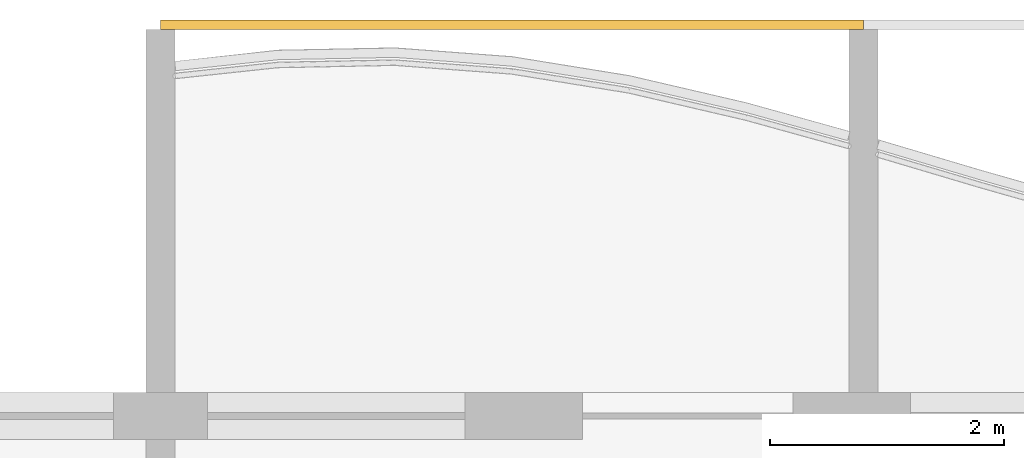
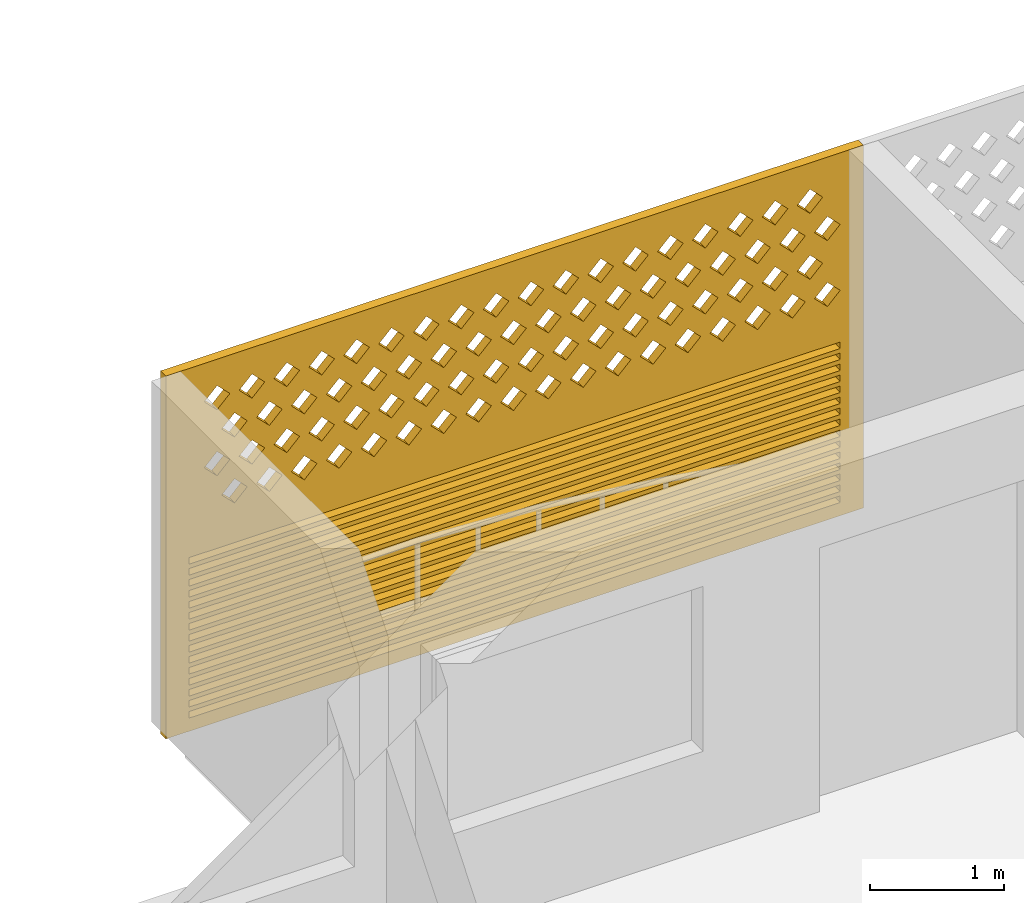
# One storey, part 25 of 27: 1 covering.
"""IFC4 building model written with IfcOpenShell, lengths in metres."""

from ifc_helpers import new_model, si_unit, direction, frame, origin, place, context, subcontext, project, spatial, polyline, outline, extrude, source, transform, mapped, material, material_profile, profile_set, type_object, element, save


model = new_model("IFC4")

# Units and contexts
model_context = context("Model", 3, precision=1e-05, world=origin(), true_north=direction((0.0, 1.0)))
body_context = subcontext(model_context, "Body", "Model", "MODEL_VIEW")
ifc_project = project(units=[si_unit("LENGTHUNIT", "METRE"), si_unit("AREAUNIT", "SQUARE_METRE"), si_unit("VOLUMEUNIT", "CUBIC_METRE"), si_unit("PLANEANGLEUNIT", "RADIAN"), si_unit("MASSUNIT", "GRAM", prefix="KILO")], contexts=[model_context])

# Site, building, storey
site_placement = place(None, origin())
site = spatial("IfcSite", under=ifc_project, at=site_placement, CompositionType="ELEMENT")
building_placement = place(site_placement, origin())
building = spatial("IfcBuilding", under=site, at=building_placement, Name="Poui Terraces", CompositionType="ELEMENT")
storey_placement = place(building_placement, frame((0.0, 0.0, 198.300048828125)))
storey = spatial("IfcBuildingStorey", under=building, at=storey_placement, Name="L55", CompositionType="ELEMENT", Elevation=198.300048828125)

# Covering
ifc_material = material(Name="Terracotta screen", Category="masonry")
ifc_material_profile = material_profile(ifc_material, outline(polyline([(-3.0, -1.64990234375), (3.0, -1.64990234375), (3.0, 1.64990234375), (-3.0, 1.64990234375), (-3.0, -1.64990234375)]), holes=[polyline([(-2.800048828125, 0.39990234375), (-2.68994140625, 0.2900390625), (-2.580078125, 0.39990234375), (-2.68994140625, 0.510009765625), (-2.800048828125, 0.39990234375)]), polyline([(-2.5, 0.39990234375), (-2.389892578125, 0.2900390625), (-2.280029296875, 0.39990234375), (-2.389892578125, 0.510009765625), (-2.5, 0.39990234375)]), polyline([(-2.199951171875, 0.39990234375), (-2.090087890625, 0.2900390625), (-1.97998046875, 0.39990234375), (-2.090087890625, 0.510009765625), (-2.199951171875, 0.39990234375)]), polyline([(-1.89990234375, 0.39990234375), (-1.7900390625, 0.2900390625), (-1.679931640625, 0.39990234375), (-1.7900390625, 0.510009765625), (-1.89990234375, 0.39990234375)]), polyline([(-1.60009765625, 0.39990234375), (-1.489990234375, 0.2900390625), (-1.3798828125, 0.39990234375), (-1.489990234375, 0.510009765625), (-1.60009765625, 0.39990234375)]), polyline([(-1.300048828125, 0.39990234375), (-1.18994140625, 0.2900390625), (-1.080078125, 0.39990234375), (-1.18994140625, 0.510009765625), (-1.300048828125, 0.39990234375)]), polyline([(-1.0, 0.39990234375), (-0.889892578125, 0.2900390625), (-0.780029296875, 0.39990234375), (-0.889892578125, 0.510009765625), (-1.0, 0.39990234375)]), polyline([(-0.699951171875, 0.39990234375), (-0.590087890625, 0.2900390625), (-0.47998046875, 0.39990234375), (-0.590087890625, 0.510009765625), (-0.699951171875, 0.39990234375)]), polyline([(-0.39990234375, 0.39990234375), (-0.2900390625, 0.2900390625), (-0.179931640625, 0.39990234375), (-0.2900390625, 0.510009765625), (-0.39990234375, 0.39990234375)]), polyline([(-0.10009765625, 0.39990234375), (0.010009765625, 0.2900390625), (0.1201171875, 0.39990234375), (0.010009765625, 0.510009765625), (-0.10009765625, 0.39990234375)]), polyline([(0.199951171875, 0.39990234375), (0.31005859375, 0.2900390625), (0.419921875, 0.39990234375), (0.31005859375, 0.510009765625), (0.199951171875, 0.39990234375)]), polyline([(0.5, 0.39990234375), (0.610107421875, 0.2900390625), (0.719970703125, 0.39990234375), (0.610107421875, 0.510009765625), (0.5, 0.39990234375)]), polyline([(0.800048828125, 0.39990234375), (0.909912109375, 0.2900390625), (1.02001953125, 0.39990234375), (0.909912109375, 0.510009765625), (0.800048828125, 0.39990234375)]), polyline([(1.10009765625, 0.39990234375), (1.2099609375, 0.2900390625), (1.320068359375, 0.39990234375), (1.2099609375, 0.510009765625), (1.10009765625, 0.39990234375)]), polyline([(1.39990234375, 0.39990234375), (1.510009765625, 0.2900390625), (1.6201171875, 0.39990234375), (1.510009765625, 0.510009765625), (1.39990234375, 0.39990234375)]), polyline([(1.699951171875, 0.39990234375), (1.81005859375, 0.2900390625), (1.919921875, 0.39990234375), (1.81005859375, 0.510009765625), (1.699951171875, 0.39990234375)]), polyline([(2.0, 0.39990234375), (2.110107421875, 0.2900390625), (2.219970703125, 0.39990234375), (2.110107421875, 0.510009765625), (2.0, 0.39990234375)]), polyline([(2.300048828125, 0.39990234375), (2.409912109375, 0.2900390625), (2.52001953125, 0.39990234375), (2.409912109375, 0.510009765625), (2.300048828125, 0.39990234375)]), polyline([(-2.64990234375, 0.699951171875), (-2.5400390625, 0.590087890625), (-2.429931640625, 0.699951171875), (-2.5400390625, 0.81005859375), (-2.64990234375, 0.699951171875)]), polyline([(-2.35009765625, 0.699951171875), (-2.239990234375, 0.590087890625), (-2.1298828125, 0.699951171875), (-2.239990234375, 0.81005859375), (-2.35009765625, 0.699951171875)]), polyline([(-2.050048828125, 0.699951171875), (-1.93994140625, 0.590087890625), (-1.830078125, 0.699951171875), (-1.93994140625, 0.81005859375), (-2.050048828125, 0.699951171875)]), polyline([(-1.75, 0.699951171875), (-1.639892578125, 0.590087890625), (-1.530029296875, 0.699951171875), (-1.639892578125, 0.81005859375), (-1.75, 0.699951171875)]), polyline([(-1.449951171875, 0.699951171875), (-1.340087890625, 0.590087890625), (-1.22998046875, 0.699951171875), (-1.340087890625, 0.81005859375), (-1.449951171875, 0.699951171875)]), polyline([(-1.14990234375, 0.699951171875), (-1.0400390625, 0.590087890625), (-0.929931640625, 0.699951171875), (-1.0400390625, 0.81005859375), (-1.14990234375, 0.699951171875)]), polyline([(-0.85009765625, 0.699951171875), (-0.739990234375, 0.590087890625), (-0.6298828125, 0.699951171875), (-0.739990234375, 0.81005859375), (-0.85009765625, 0.699951171875)]), polyline([(-0.550048828125, 0.699951171875), (-0.43994140625, 0.590087890625), (-0.330078125, 0.699951171875), (-0.43994140625, 0.81005859375), (-0.550048828125, 0.699951171875)]), polyline([(-0.25, 0.699951171875), (-0.139892578125, 0.590087890625), (-0.030029296875, 0.699951171875), (-0.139892578125, 0.81005859375), (-0.25, 0.699951171875)]), polyline([(0.050048828125, 0.699951171875), (0.159912109375, 0.590087890625), (0.27001953125, 0.699951171875), (0.159912109375, 0.81005859375), (0.050048828125, 0.699951171875)]), polyline([(0.35009765625, 0.699951171875), (0.4599609375, 0.590087890625), (0.570068359375, 0.699951171875), (0.4599609375, 0.81005859375), (0.35009765625, 0.699951171875)]), polyline([(0.64990234375, 0.699951171875), (0.760009765625, 0.590087890625), (0.8701171875, 0.699951171875), (0.760009765625, 0.81005859375), (0.64990234375, 0.699951171875)]), polyline([(0.949951171875, 0.699951171875), (1.06005859375, 0.590087890625), (1.169921875, 0.699951171875), (1.06005859375, 0.81005859375), (0.949951171875, 0.699951171875)]), polyline([(1.25, 0.699951171875), (1.360107421875, 0.590087890625), (1.469970703125, 0.699951171875), (1.360107421875, 0.81005859375), (1.25, 0.699951171875)]), polyline([(1.550048828125, 0.699951171875), (1.659912109375, 0.590087890625), (1.77001953125, 0.699951171875), (1.659912109375, 0.81005859375), (1.550048828125, 0.699951171875)]), polyline([(1.85009765625, 0.699951171875), (1.9599609375, 0.590087890625), (2.070068359375, 0.699951171875), (1.9599609375, 0.81005859375), (1.85009765625, 0.699951171875)]), polyline([(2.14990234375, 0.699951171875), (2.260009765625, 0.590087890625), (2.3701171875, 0.699951171875), (2.260009765625, 0.81005859375), (2.14990234375, 0.699951171875)]), polyline([(2.449951171875, 0.699951171875), (2.56005859375, 0.590087890625), (2.669921875, 0.699951171875), (2.56005859375, 0.81005859375), (2.449951171875, 0.699951171875)]), polyline([(-2.800048828125, 1.0), (-2.68994140625, 0.889892578125), (-2.580078125, 1.0), (-2.68994140625, 1.110107421875), (-2.800048828125, 1.0)]), polyline([(-2.5, 1.0), (-2.389892578125, 0.889892578125), (-2.280029296875, 1.0), (-2.389892578125, 1.110107421875), (-2.5, 1.0)]), polyline([(-2.199951171875, 1.0), (-2.090087890625, 0.889892578125), (-1.97998046875, 1.0), (-2.090087890625, 1.110107421875), (-2.199951171875, 1.0)]), polyline([(-1.89990234375, 1.0), (-1.7900390625, 0.889892578125), (-1.679931640625, 1.0), (-1.7900390625, 1.110107421875), (-1.89990234375, 1.0)]), polyline([(-1.60009765625, 1.0), (-1.489990234375, 0.889892578125), (-1.3798828125, 1.0), (-1.489990234375, 1.110107421875), (-1.60009765625, 1.0)]), polyline([(-1.300048828125, 1.0), (-1.18994140625, 0.889892578125), (-1.080078125, 1.0), (-1.18994140625, 1.110107421875), (-1.300048828125, 1.0)]), polyline([(-1.0, 1.0), (-0.889892578125, 0.889892578125), (-0.780029296875, 1.0), (-0.889892578125, 1.110107421875), (-1.0, 1.0)]), polyline([(-0.699951171875, 1.0), (-0.590087890625, 0.889892578125), (-0.47998046875, 1.0), (-0.590087890625, 1.110107421875), (-0.699951171875, 1.0)]), polyline([(-0.39990234375, 1.0), (-0.2900390625, 0.889892578125), (-0.179931640625, 1.0), (-0.2900390625, 1.110107421875), (-0.39990234375, 1.0)]), polyline([(-0.10009765625, 1.0), (0.010009765625, 0.889892578125), (0.1201171875, 1.0), (0.010009765625, 1.110107421875), (-0.10009765625, 1.0)]), polyline([(0.199951171875, 1.0), (0.31005859375, 0.889892578125), (0.419921875, 1.0), (0.31005859375, 1.110107421875), (0.199951171875, 1.0)]), polyline([(0.5, 1.0), (0.610107421875, 0.889892578125), (0.719970703125, 1.0), (0.610107421875, 1.110107421875), (0.5, 1.0)]), polyline([(0.800048828125, 1.0), (0.909912109375, 0.889892578125), (1.02001953125, 1.0), (0.909912109375, 1.110107421875), (0.800048828125, 1.0)]), polyline([(1.10009765625, 1.0), (1.2099609375, 0.889892578125), (1.320068359375, 1.0), (1.2099609375, 1.110107421875), (1.10009765625, 1.0)]), polyline([(1.39990234375, 1.0), (1.510009765625, 0.889892578125), (1.6201171875, 1.0), (1.510009765625, 1.110107421875), (1.39990234375, 1.0)]), polyline([(1.699951171875, 1.0), (1.81005859375, 0.889892578125), (1.919921875, 1.0), (1.81005859375, 1.110107421875), (1.699951171875, 1.0)]), polyline([(2.0, 1.0), (2.110107421875, 0.889892578125), (2.219970703125, 1.0), (2.110107421875, 1.110107421875), (2.0, 1.0)]), polyline([(2.300048828125, 1.0), (2.409912109375, 0.889892578125), (2.52001953125, 1.0), (2.409912109375, 1.110107421875), (2.300048828125, 1.0)]), polyline([(-2.64990234375, 1.300048828125), (-2.5400390625, 1.18994140625), (-2.429931640625, 1.300048828125), (-2.5400390625, 1.409912109375), (-2.64990234375, 1.300048828125)]), polyline([(-2.35009765625, 1.300048828125), (-2.239990234375, 1.18994140625), (-2.1298828125, 1.300048828125), (-2.239990234375, 1.409912109375), (-2.35009765625, 1.300048828125)]), polyline([(-2.050048828125, 1.300048828125), (-1.93994140625, 1.18994140625), (-1.830078125, 1.300048828125), (-1.93994140625, 1.409912109375), (-2.050048828125, 1.300048828125)]), polyline([(-1.75, 1.300048828125), (-1.639892578125, 1.18994140625), (-1.530029296875, 1.300048828125), (-1.639892578125, 1.409912109375), (-1.75, 1.300048828125)]), polyline([(-1.449951171875, 1.300048828125), (-1.340087890625, 1.18994140625), (-1.22998046875, 1.300048828125), (-1.340087890625, 1.409912109375), (-1.449951171875, 1.300048828125)]), polyline([(-1.14990234375, 1.300048828125), (-1.0400390625, 1.18994140625), (-0.929931640625, 1.300048828125), (-1.0400390625, 1.409912109375), (-1.14990234375, 1.300048828125)]), polyline([(-0.85009765625, 1.300048828125), (-0.739990234375, 1.18994140625), (-0.6298828125, 1.300048828125), (-0.739990234375, 1.409912109375), (-0.85009765625, 1.300048828125)]), polyline([(-0.550048828125, 1.300048828125), (-0.43994140625, 1.18994140625), (-0.330078125, 1.300048828125), (-0.43994140625, 1.409912109375), (-0.550048828125, 1.300048828125)]), polyline([(-0.25, 1.300048828125), (-0.139892578125, 1.18994140625), (-0.030029296875, 1.300048828125), (-0.139892578125, 1.409912109375), (-0.25, 1.300048828125)]), polyline([(0.050048828125, 1.300048828125), (0.159912109375, 1.18994140625), (0.27001953125, 1.300048828125), (0.159912109375, 1.409912109375), (0.050048828125, 1.300048828125)]), polyline([(0.35009765625, 1.300048828125), (0.4599609375, 1.18994140625), (0.570068359375, 1.300048828125), (0.4599609375, 1.409912109375), (0.35009765625, 1.300048828125)]), polyline([(0.64990234375, 1.300048828125), (0.760009765625, 1.18994140625), (0.8701171875, 1.300048828125), (0.760009765625, 1.409912109375), (0.64990234375, 1.300048828125)]), polyline([(0.949951171875, 1.300048828125), (1.06005859375, 1.18994140625), (1.169921875, 1.300048828125), (1.06005859375, 1.409912109375), (0.949951171875, 1.300048828125)]), polyline([(1.25, 1.300048828125), (1.360107421875, 1.18994140625), (1.469970703125, 1.300048828125), (1.360107421875, 1.409912109375), (1.25, 1.300048828125)]), polyline([(1.550048828125, 1.300048828125), (1.659912109375, 1.18994140625), (1.77001953125, 1.300048828125), (1.659912109375, 1.409912109375), (1.550048828125, 1.300048828125)]), polyline([(1.85009765625, 1.300048828125), (1.9599609375, 1.18994140625), (2.070068359375, 1.300048828125), (1.9599609375, 1.409912109375), (1.85009765625, 1.300048828125)]), polyline([(2.14990234375, 1.300048828125), (2.260009765625, 1.18994140625), (2.3701171875, 1.300048828125), (2.260009765625, 1.409912109375), (2.14990234375, 1.300048828125)]), polyline([(2.449951171875, 1.300048828125), (2.56005859375, 1.18994140625), (2.669921875, 1.300048828125), (2.56005859375, 1.409912109375), (2.449951171875, 1.300048828125)]), polyline([(-2.800048828125, -1.530029296875), (2.800048828125, -1.530029296875), (2.800048828125, -1.469970703125), (-2.800048828125, -1.469970703125), (-2.800048828125, -1.530029296875)]), polyline([(-2.800048828125, -1.429931640625), (2.800048828125, -1.429931640625), (2.800048828125, -1.3701171875), (-2.800048828125, -1.3701171875), (-2.800048828125, -1.429931640625)]), polyline([(-2.800048828125, -1.330078125), (2.800048828125, -1.330078125), (2.800048828125, -1.27001953125), (-2.800048828125, -1.27001953125), (-2.800048828125, -1.330078125)]), polyline([(-2.800048828125, -1.22998046875), (2.800048828125, -1.22998046875), (2.800048828125, -1.169921875), (-2.800048828125, -1.169921875), (-2.800048828125, -1.22998046875)]), polyline([(-2.800048828125, -1.1298828125), (2.800048828125, -1.1298828125), (2.800048828125, -1.070068359375), (-2.800048828125, -1.070068359375), (-2.800048828125, -1.1298828125)]), polyline([(-2.800048828125, -1.030029296875), (2.800048828125, -1.030029296875), (2.800048828125, -0.969970703125), (-2.800048828125, -0.969970703125), (-2.800048828125, -1.030029296875)]), polyline([(-2.800048828125, -0.929931640625), (2.800048828125, -0.929931640625), (2.800048828125, -0.8701171875), (-2.800048828125, -0.8701171875), (-2.800048828125, -0.929931640625)]), polyline([(-2.800048828125, -0.830078125), (2.800048828125, -0.830078125), (2.800048828125, -0.77001953125), (-2.800048828125, -0.77001953125), (-2.800048828125, -0.830078125)]), polyline([(-2.800048828125, -0.72998046875), (2.800048828125, -0.72998046875), (2.800048828125, -0.669921875), (-2.800048828125, -0.669921875), (-2.800048828125, -0.72998046875)]), polyline([(-2.800048828125, -0.6298828125), (2.800048828125, -0.6298828125), (2.800048828125, -0.570068359375), (-2.800048828125, -0.570068359375), (-2.800048828125, -0.6298828125)]), polyline([(-2.800048828125, -0.530029296875), (2.800048828125, -0.530029296875), (2.800048828125, -0.469970703125), (-2.800048828125, -0.469970703125), (-2.800048828125, -0.530029296875)]), polyline([(-2.800048828125, -0.429931640625), (2.800048828125, -0.429931640625), (2.800048828125, -0.3701171875), (-2.800048828125, -0.3701171875), (-2.800048828125, -0.429931640625)]), polyline([(-2.800048828125, -0.330078125), (2.800048828125, -0.330078125), (2.800048828125, -0.27001953125), (-2.800048828125, -0.27001953125), (-2.800048828125, -0.330078125)]), polyline([(-2.800048828125, -0.22998046875), (2.800048828125, -0.22998046875), (2.800048828125, -0.169921875), (-2.800048828125, -0.169921875), (-2.800048828125, -0.22998046875)]), polyline([(-2.800048828125, -0.1298828125), (2.800048828125, -0.1298828125), (2.800048828125, -0.070068359375), (-2.800048828125, -0.070068359375), (-2.800048828125, -0.1298828125)])]), Name="TERRACOTTA SCREEN AND JALOUSIE LOUVRE 6000X3300")
ifc_profile_set = profile_set([ifc_material_profile], Name="Terracotta screen")
covering_type = type_object("IfcCoveringType", Name="TERRACOTTA SCREEN AND JALOUSIE LOUVRE 6000X3300", PredefinedType="CLADDING", material=ifc_profile_set)
shared_shape = source(origin(), body_context, "Body", "SweptSolid", [
    extrude(outline(polyline([(-3.0, -1.64990234375), (3.0, -1.64990234375), (3.0, 1.64990234375), (-3.0, 1.64990234375), (-3.0, -1.64990234375)]), holes=[polyline([(-2.800048828125, 0.39990234375), (-2.68994140625, 0.2900390625), (-2.580078125, 0.39990234375), (-2.68994140625, 0.510009765625), (-2.800048828125, 0.39990234375)]), polyline([(-2.5, 0.39990234375), (-2.389892578125, 0.2900390625), (-2.280029296875, 0.39990234375), (-2.389892578125, 0.510009765625), (-2.5, 0.39990234375)]), polyline([(-2.199951171875, 0.39990234375), (-2.090087890625, 0.2900390625), (-1.97998046875, 0.39990234375), (-2.090087890625, 0.510009765625), (-2.199951171875, 0.39990234375)]), polyline([(-1.89990234375, 0.39990234375), (-1.7900390625, 0.2900390625), (-1.679931640625, 0.39990234375), (-1.7900390625, 0.510009765625), (-1.89990234375, 0.39990234375)]), polyline([(-1.60009765625, 0.39990234375), (-1.489990234375, 0.2900390625), (-1.3798828125, 0.39990234375), (-1.489990234375, 0.510009765625), (-1.60009765625, 0.39990234375)]), polyline([(-1.300048828125, 0.39990234375), (-1.18994140625, 0.2900390625), (-1.080078125, 0.39990234375), (-1.18994140625, 0.510009765625), (-1.300048828125, 0.39990234375)]), polyline([(-1.0, 0.39990234375), (-0.889892578125, 0.2900390625), (-0.780029296875, 0.39990234375), (-0.889892578125, 0.510009765625), (-1.0, 0.39990234375)]), polyline([(-0.699951171875, 0.39990234375), (-0.590087890625, 0.2900390625), (-0.47998046875, 0.39990234375), (-0.590087890625, 0.510009765625), (-0.699951171875, 0.39990234375)]), polyline([(-0.39990234375, 0.39990234375), (-0.2900390625, 0.2900390625), (-0.179931640625, 0.39990234375), (-0.2900390625, 0.510009765625), (-0.39990234375, 0.39990234375)]), polyline([(-0.10009765625, 0.39990234375), (0.010009765625, 0.2900390625), (0.1201171875, 0.39990234375), (0.010009765625, 0.510009765625), (-0.10009765625, 0.39990234375)]), polyline([(0.199951171875, 0.39990234375), (0.31005859375, 0.2900390625), (0.419921875, 0.39990234375), (0.31005859375, 0.510009765625), (0.199951171875, 0.39990234375)]), polyline([(0.5, 0.39990234375), (0.610107421875, 0.2900390625), (0.719970703125, 0.39990234375), (0.610107421875, 0.510009765625), (0.5, 0.39990234375)]), polyline([(0.800048828125, 0.39990234375), (0.909912109375, 0.2900390625), (1.02001953125, 0.39990234375), (0.909912109375, 0.510009765625), (0.800048828125, 0.39990234375)]), polyline([(1.10009765625, 0.39990234375), (1.2099609375, 0.2900390625), (1.320068359375, 0.39990234375), (1.2099609375, 0.510009765625), (1.10009765625, 0.39990234375)]), polyline([(1.39990234375, 0.39990234375), (1.510009765625, 0.2900390625), (1.6201171875, 0.39990234375), (1.510009765625, 0.510009765625), (1.39990234375, 0.39990234375)]), polyline([(1.699951171875, 0.39990234375), (1.81005859375, 0.2900390625), (1.919921875, 0.39990234375), (1.81005859375, 0.510009765625), (1.699951171875, 0.39990234375)]), polyline([(2.0, 0.39990234375), (2.110107421875, 0.2900390625), (2.219970703125, 0.39990234375), (2.110107421875, 0.510009765625), (2.0, 0.39990234375)]), polyline([(2.300048828125, 0.39990234375), (2.409912109375, 0.2900390625), (2.52001953125, 0.39990234375), (2.409912109375, 0.510009765625), (2.300048828125, 0.39990234375)]), polyline([(-2.64990234375, 0.699951171875), (-2.5400390625, 0.590087890625), (-2.429931640625, 0.699951171875), (-2.5400390625, 0.81005859375), (-2.64990234375, 0.699951171875)]), polyline([(-2.35009765625, 0.699951171875), (-2.239990234375, 0.590087890625), (-2.1298828125, 0.699951171875), (-2.239990234375, 0.81005859375), (-2.35009765625, 0.699951171875)]), polyline([(-2.050048828125, 0.699951171875), (-1.93994140625, 0.590087890625), (-1.830078125, 0.699951171875), (-1.93994140625, 0.81005859375), (-2.050048828125, 0.699951171875)]), polyline([(-1.75, 0.699951171875), (-1.639892578125, 0.590087890625), (-1.530029296875, 0.699951171875), (-1.639892578125, 0.81005859375), (-1.75, 0.699951171875)]), polyline([(-1.449951171875, 0.699951171875), (-1.340087890625, 0.590087890625), (-1.22998046875, 0.699951171875), (-1.340087890625, 0.81005859375), (-1.449951171875, 0.699951171875)]), polyline([(-1.14990234375, 0.699951171875), (-1.0400390625, 0.590087890625), (-0.929931640625, 0.699951171875), (-1.0400390625, 0.81005859375), (-1.14990234375, 0.699951171875)]), polyline([(-0.85009765625, 0.699951171875), (-0.739990234375, 0.590087890625), (-0.6298828125, 0.699951171875), (-0.739990234375, 0.81005859375), (-0.85009765625, 0.699951171875)]), polyline([(-0.550048828125, 0.699951171875), (-0.43994140625, 0.590087890625), (-0.330078125, 0.699951171875), (-0.43994140625, 0.81005859375), (-0.550048828125, 0.699951171875)]), polyline([(-0.25, 0.699951171875), (-0.139892578125, 0.590087890625), (-0.030029296875, 0.699951171875), (-0.139892578125, 0.81005859375), (-0.25, 0.699951171875)]), polyline([(0.050048828125, 0.699951171875), (0.159912109375, 0.590087890625), (0.27001953125, 0.699951171875), (0.159912109375, 0.81005859375), (0.050048828125, 0.699951171875)]), polyline([(0.35009765625, 0.699951171875), (0.4599609375, 0.590087890625), (0.570068359375, 0.699951171875), (0.4599609375, 0.81005859375), (0.35009765625, 0.699951171875)]), polyline([(0.64990234375, 0.699951171875), (0.760009765625, 0.590087890625), (0.8701171875, 0.699951171875), (0.760009765625, 0.81005859375), (0.64990234375, 0.699951171875)]), polyline([(0.949951171875, 0.699951171875), (1.06005859375, 0.590087890625), (1.169921875, 0.699951171875), (1.06005859375, 0.81005859375), (0.949951171875, 0.699951171875)]), polyline([(1.25, 0.699951171875), (1.360107421875, 0.590087890625), (1.469970703125, 0.699951171875), (1.360107421875, 0.81005859375), (1.25, 0.699951171875)]), polyline([(1.550048828125, 0.699951171875), (1.659912109375, 0.590087890625), (1.77001953125, 0.699951171875), (1.659912109375, 0.81005859375), (1.550048828125, 0.699951171875)]), polyline([(1.85009765625, 0.699951171875), (1.9599609375, 0.590087890625), (2.070068359375, 0.699951171875), (1.9599609375, 0.81005859375), (1.85009765625, 0.699951171875)]), polyline([(2.14990234375, 0.699951171875), (2.260009765625, 0.590087890625), (2.3701171875, 0.699951171875), (2.260009765625, 0.81005859375), (2.14990234375, 0.699951171875)]), polyline([(2.449951171875, 0.699951171875), (2.56005859375, 0.590087890625), (2.669921875, 0.699951171875), (2.56005859375, 0.81005859375), (2.449951171875, 0.699951171875)]), polyline([(-2.800048828125, 1.0), (-2.68994140625, 0.889892578125), (-2.580078125, 1.0), (-2.68994140625, 1.110107421875), (-2.800048828125, 1.0)]), polyline([(-2.5, 1.0), (-2.389892578125, 0.889892578125), (-2.280029296875, 1.0), (-2.389892578125, 1.110107421875), (-2.5, 1.0)]), polyline([(-2.199951171875, 1.0), (-2.090087890625, 0.889892578125), (-1.97998046875, 1.0), (-2.090087890625, 1.110107421875), (-2.199951171875, 1.0)]), polyline([(-1.89990234375, 1.0), (-1.7900390625, 0.889892578125), (-1.679931640625, 1.0), (-1.7900390625, 1.110107421875), (-1.89990234375, 1.0)]), polyline([(-1.60009765625, 1.0), (-1.489990234375, 0.889892578125), (-1.3798828125, 1.0), (-1.489990234375, 1.110107421875), (-1.60009765625, 1.0)]), polyline([(-1.300048828125, 1.0), (-1.18994140625, 0.889892578125), (-1.080078125, 1.0), (-1.18994140625, 1.110107421875), (-1.300048828125, 1.0)]), polyline([(-1.0, 1.0), (-0.889892578125, 0.889892578125), (-0.780029296875, 1.0), (-0.889892578125, 1.110107421875), (-1.0, 1.0)]), polyline([(-0.699951171875, 1.0), (-0.590087890625, 0.889892578125), (-0.47998046875, 1.0), (-0.590087890625, 1.110107421875), (-0.699951171875, 1.0)]), polyline([(-0.39990234375, 1.0), (-0.2900390625, 0.889892578125), (-0.179931640625, 1.0), (-0.2900390625, 1.110107421875), (-0.39990234375, 1.0)]), polyline([(-0.10009765625, 1.0), (0.010009765625, 0.889892578125), (0.1201171875, 1.0), (0.010009765625, 1.110107421875), (-0.10009765625, 1.0)]), polyline([(0.199951171875, 1.0), (0.31005859375, 0.889892578125), (0.419921875, 1.0), (0.31005859375, 1.110107421875), (0.199951171875, 1.0)]), polyline([(0.5, 1.0), (0.610107421875, 0.889892578125), (0.719970703125, 1.0), (0.610107421875, 1.110107421875), (0.5, 1.0)]), polyline([(0.800048828125, 1.0), (0.909912109375, 0.889892578125), (1.02001953125, 1.0), (0.909912109375, 1.110107421875), (0.800048828125, 1.0)]), polyline([(1.10009765625, 1.0), (1.2099609375, 0.889892578125), (1.320068359375, 1.0), (1.2099609375, 1.110107421875), (1.10009765625, 1.0)]), polyline([(1.39990234375, 1.0), (1.510009765625, 0.889892578125), (1.6201171875, 1.0), (1.510009765625, 1.110107421875), (1.39990234375, 1.0)]), polyline([(1.699951171875, 1.0), (1.81005859375, 0.889892578125), (1.919921875, 1.0), (1.81005859375, 1.110107421875), (1.699951171875, 1.0)]), polyline([(2.0, 1.0), (2.110107421875, 0.889892578125), (2.219970703125, 1.0), (2.110107421875, 1.110107421875), (2.0, 1.0)]), polyline([(2.300048828125, 1.0), (2.409912109375, 0.889892578125), (2.52001953125, 1.0), (2.409912109375, 1.110107421875), (2.300048828125, 1.0)]), polyline([(-2.64990234375, 1.300048828125), (-2.5400390625, 1.18994140625), (-2.429931640625, 1.300048828125), (-2.5400390625, 1.409912109375), (-2.64990234375, 1.300048828125)]), polyline([(-2.35009765625, 1.300048828125), (-2.239990234375, 1.18994140625), (-2.1298828125, 1.300048828125), (-2.239990234375, 1.409912109375), (-2.35009765625, 1.300048828125)]), polyline([(-2.050048828125, 1.300048828125), (-1.93994140625, 1.18994140625), (-1.830078125, 1.300048828125), (-1.93994140625, 1.409912109375), (-2.050048828125, 1.300048828125)]), polyline([(-1.75, 1.300048828125), (-1.639892578125, 1.18994140625), (-1.530029296875, 1.300048828125), (-1.639892578125, 1.409912109375), (-1.75, 1.300048828125)]), polyline([(-1.449951171875, 1.300048828125), (-1.340087890625, 1.18994140625), (-1.22998046875, 1.300048828125), (-1.340087890625, 1.409912109375), (-1.449951171875, 1.300048828125)]), polyline([(-1.14990234375, 1.300048828125), (-1.0400390625, 1.18994140625), (-0.929931640625, 1.300048828125), (-1.0400390625, 1.409912109375), (-1.14990234375, 1.300048828125)]), polyline([(-0.85009765625, 1.300048828125), (-0.739990234375, 1.18994140625), (-0.6298828125, 1.300048828125), (-0.739990234375, 1.409912109375), (-0.85009765625, 1.300048828125)]), polyline([(-0.550048828125, 1.300048828125), (-0.43994140625, 1.18994140625), (-0.330078125, 1.300048828125), (-0.43994140625, 1.409912109375), (-0.550048828125, 1.300048828125)]), polyline([(-0.25, 1.300048828125), (-0.139892578125, 1.18994140625), (-0.030029296875, 1.300048828125), (-0.139892578125, 1.409912109375), (-0.25, 1.300048828125)]), polyline([(0.050048828125, 1.300048828125), (0.159912109375, 1.18994140625), (0.27001953125, 1.300048828125), (0.159912109375, 1.409912109375), (0.050048828125, 1.300048828125)]), polyline([(0.35009765625, 1.300048828125), (0.4599609375, 1.18994140625), (0.570068359375, 1.300048828125), (0.4599609375, 1.409912109375), (0.35009765625, 1.300048828125)]), polyline([(0.64990234375, 1.300048828125), (0.760009765625, 1.18994140625), (0.8701171875, 1.300048828125), (0.760009765625, 1.409912109375), (0.64990234375, 1.300048828125)]), polyline([(0.949951171875, 1.300048828125), (1.06005859375, 1.18994140625), (1.169921875, 1.300048828125), (1.06005859375, 1.409912109375), (0.949951171875, 1.300048828125)]), polyline([(1.25, 1.300048828125), (1.360107421875, 1.18994140625), (1.469970703125, 1.300048828125), (1.360107421875, 1.409912109375), (1.25, 1.300048828125)]), polyline([(1.550048828125, 1.300048828125), (1.659912109375, 1.18994140625), (1.77001953125, 1.300048828125), (1.659912109375, 1.409912109375), (1.550048828125, 1.300048828125)]), polyline([(1.85009765625, 1.300048828125), (1.9599609375, 1.18994140625), (2.070068359375, 1.300048828125), (1.9599609375, 1.409912109375), (1.85009765625, 1.300048828125)]), polyline([(2.14990234375, 1.300048828125), (2.260009765625, 1.18994140625), (2.3701171875, 1.300048828125), (2.260009765625, 1.409912109375), (2.14990234375, 1.300048828125)]), polyline([(2.449951171875, 1.300048828125), (2.56005859375, 1.18994140625), (2.669921875, 1.300048828125), (2.56005859375, 1.409912109375), (2.449951171875, 1.300048828125)]), polyline([(-2.800048828125, -1.530029296875), (2.800048828125, -1.530029296875), (2.800048828125, -1.469970703125), (-2.800048828125, -1.469970703125), (-2.800048828125, -1.530029296875)]), polyline([(-2.800048828125, -1.429931640625), (2.800048828125, -1.429931640625), (2.800048828125, -1.3701171875), (-2.800048828125, -1.3701171875), (-2.800048828125, -1.429931640625)]), polyline([(-2.800048828125, -1.330078125), (2.800048828125, -1.330078125), (2.800048828125, -1.27001953125), (-2.800048828125, -1.27001953125), (-2.800048828125, -1.330078125)]), polyline([(-2.800048828125, -1.22998046875), (2.800048828125, -1.22998046875), (2.800048828125, -1.169921875), (-2.800048828125, -1.169921875), (-2.800048828125, -1.22998046875)]), polyline([(-2.800048828125, -1.1298828125), (2.800048828125, -1.1298828125), (2.800048828125, -1.070068359375), (-2.800048828125, -1.070068359375), (-2.800048828125, -1.1298828125)]), polyline([(-2.800048828125, -1.030029296875), (2.800048828125, -1.030029296875), (2.800048828125, -0.969970703125), (-2.800048828125, -0.969970703125), (-2.800048828125, -1.030029296875)]), polyline([(-2.800048828125, -0.929931640625), (2.800048828125, -0.929931640625), (2.800048828125, -0.8701171875), (-2.800048828125, -0.8701171875), (-2.800048828125, -0.929931640625)]), polyline([(-2.800048828125, -0.830078125), (2.800048828125, -0.830078125), (2.800048828125, -0.77001953125), (-2.800048828125, -0.77001953125), (-2.800048828125, -0.830078125)]), polyline([(-2.800048828125, -0.72998046875), (2.800048828125, -0.72998046875), (2.800048828125, -0.669921875), (-2.800048828125, -0.669921875), (-2.800048828125, -0.72998046875)]), polyline([(-2.800048828125, -0.6298828125), (2.800048828125, -0.6298828125), (2.800048828125, -0.570068359375), (-2.800048828125, -0.570068359375), (-2.800048828125, -0.6298828125)]), polyline([(-2.800048828125, -0.530029296875), (2.800048828125, -0.530029296875), (2.800048828125, -0.469970703125), (-2.800048828125, -0.469970703125), (-2.800048828125, -0.530029296875)]), polyline([(-2.800048828125, -0.429931640625), (2.800048828125, -0.429931640625), (2.800048828125, -0.3701171875), (-2.800048828125, -0.3701171875), (-2.800048828125, -0.429931640625)]), polyline([(-2.800048828125, -0.330078125), (2.800048828125, -0.330078125), (2.800048828125, -0.27001953125), (-2.800048828125, -0.27001953125), (-2.800048828125, -0.330078125)]), polyline([(-2.800048828125, -0.22998046875), (2.800048828125, -0.22998046875), (2.800048828125, -0.169921875), (-2.800048828125, -0.169921875), (-2.800048828125, -0.22998046875)]), polyline([(-2.800048828125, -0.1298828125), (2.800048828125, -0.1298828125), (2.800048828125, -0.070068359375), (-2.800048828125, -0.070068359375), (-2.800048828125, -0.1298828125)])]), origin(), (0.0, 0.0, 1.0), 0.080078125),
])
covering_placement = place(storey_placement, frame((69.0, 44.5, 1.449951171875), z_axis=(0.0, 1.0, 0.0), x_axis=(-1.0, 0.0, 0.0)))
element("IfcCovering", 1, at=covering_placement, inside=storey, type_object=covering_type, Name="SOLAR SCREEN AND JALOUSIE LOUVRE", PredefinedType="CLADDING", context=body_context, shape_type="MappedRepresentation", body=[
    mapped(shared_shape, transform((0.0, 0.0, 0.0))),
])

save(model, "model.ifc")
